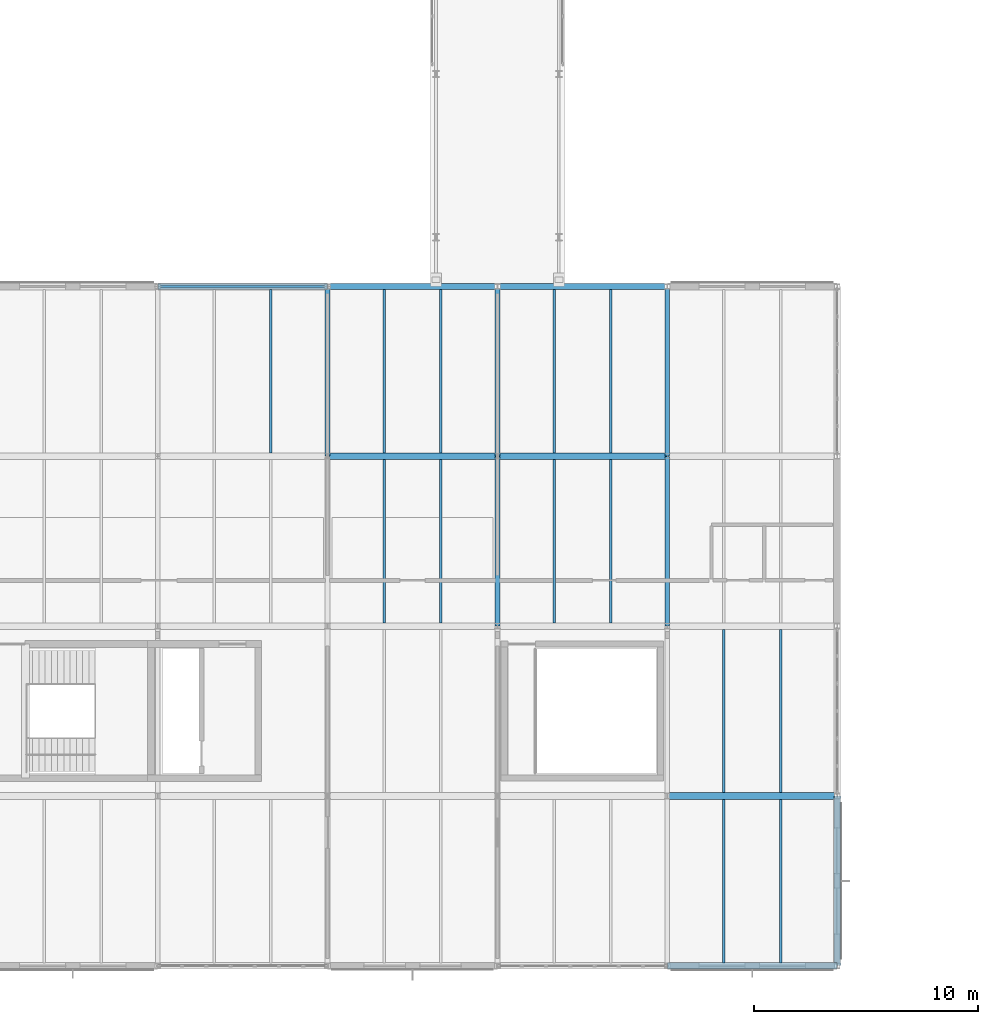
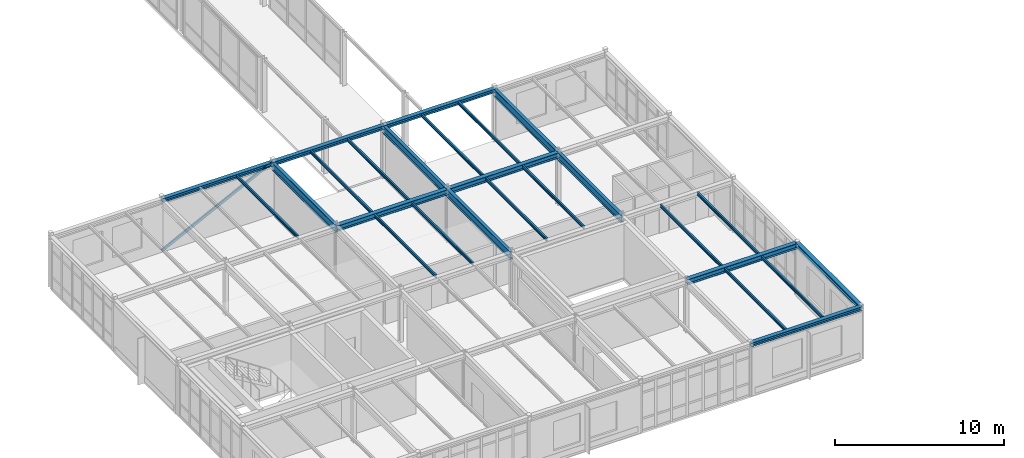
# One storey, part 34 of 189: 26 beams, 1 member.
"""IFC4 building model written with IfcOpenShell, lengths in metres."""

from ifc_helpers import new_model, si_unit, direction, frame, origin, origin_2d, place, context, subcontext, project, spatial, hollow_rectangle, i_section, extrude, material, material_profile, profile_set, type_object, element, save


model = new_model("IFC4")

# Units and contexts
model_context = context("Model", 3, precision=1e-05, world=origin(), true_north=direction((0.0, 1.0)))
body_context = subcontext(model_context, "Body", "Model", "MODEL_VIEW")
ifc_project = project(units=[si_unit("LENGTHUNIT", "METRE"), si_unit("AREAUNIT", "SQUARE_METRE"), si_unit("VOLUMEUNIT", "CUBIC_METRE"), si_unit("PLANEANGLEUNIT", "RADIAN"), si_unit("MASSUNIT", "GRAM", prefix="KILO")], contexts=[model_context])

# Site, building, storey
site_placement = place(None, origin())
site = spatial("IfcSite", under=ifc_project, at=site_placement, CompositionType="ELEMENT")
building_placement = place(site_placement, origin())
building = spatial("IfcBuilding", under=site, at=building_placement, Name="Montecoro Central Library", CompositionType="ELEMENT")
storey_placement = place(building_placement, frame((0.0, 0.0, 9.179931640625)))
storey = spatial("IfcBuildingStorey", under=building, at=storey_placement, Name="L02", CompositionType="ELEMENT", Elevation=9.179931640625)

# Beams
ifc_material_1 = material(Name="Steel S355", Category="steel")
ifc_material_profile_1 = material_profile(ifc_material_1, i_section(OverallWidth=0.300048828125, OverallDepth=0.389892578125, WebThickness=0.010986328125, FlangeThickness=0.01904296875, at=origin_2d()), Name="HEA 400")
ifc_profile_set_1 = profile_set([ifc_material_profile_1], Name="Steel S355")
beam_type_1 = type_object("IfcBeamType", Name="BM-G-HEA400", PredefinedType="USERDEFINED", material=ifc_profile_set_1)
beam_1_placement = place(storey_placement, frame((35.405029296875, 12.60009765625, 3.630126953125), z_axis=(1.0, 0.0, 0.0), x_axis=(0.0, 1.0, 0.0)))
element("IfcBeam", 1, at=beam_1_placement, inside=storey, type_object=beam_type_1, Name="V3-L02-BX-56-B", ObjectType="GIRDER", PredefinedType="USERDEFINED", context=body_context, shape_type="SweptSolid", body=[
    extrude(i_section(OverallWidth=0.300048828125, OverallDepth=0.389892578125, WebThickness=0.010986328125, FlangeThickness=0.01904296875, at=origin_2d()), origin(), (0.0, 0.0, 1.0), 7.590087890625),
])
beam_2_placement = place(storey_placement, frame((20.205078125, 27.800048828125, 3.630126953125), z_axis=(1.0, 0.0, 0.0), x_axis=(0.0, 1.0, 0.0)))
element("IfcBeam", 2, at=beam_2_placement, inside=storey, type_object=beam_type_1, Name="V3-L02-BX-34-D", ObjectType="GIRDER", PredefinedType="USERDEFINED", context=body_context, shape_type="SweptSolid", body=[
    extrude(i_section(OverallWidth=0.300048828125, OverallDepth=0.389892578125, WebThickness=0.010986328125, FlangeThickness=0.01904296875, at=origin_2d()), origin(), (0.0, 0.0, 1.0), 7.58984375),
])
beam_3_placement = place(storey_placement, frame((27.804931640625, 27.800048828125, 3.630126953125), z_axis=(1.0, 0.0, 0.0), x_axis=(0.0, 1.0, 0.0)))
element("IfcBeam", 3, at=beam_3_placement, inside=storey, type_object=beam_type_1, Name="V3-L02-BX-45-D", ObjectType="GIRDER", PredefinedType="USERDEFINED", context=body_context, shape_type="SweptSolid", body=[
    extrude(i_section(OverallWidth=0.300048828125, OverallDepth=0.389892578125, WebThickness=0.010986328125, FlangeThickness=0.01904296875, at=origin_2d()), origin(), (0.0, 0.0, 1.0), 7.590087890625),
])
ifc_material_2 = material(Name="Steel S355J2", Category="steel")
ifc_material_profile_2 = material_profile(ifc_material_2, i_section(OverallWidth=0.2099609375, OverallDepth=0.550048828125, WebThickness=0.010986328125, FlangeThickness=0.01708984375, at=origin_2d()), Name="IPE 550")
ifc_profile_set_2 = profile_set([ifc_material_profile_2], Name="Steel S355J2")
beam_type_2 = type_object("IfcBeamType", Name="BM-G-IPE550", PredefinedType="USERDEFINED", material=ifc_profile_set_2)
beam_4_placement = place(storey_placement, frame((20.199951171875, 27.804931640625, 3.550048828125), z_axis=(0.0, 1.0, 0.0), x_axis=(-1.0, 0.0, 0.0)))
element("IfcBeam", 4, at=beam_4_placement, inside=storey, type_object=beam_type_2, Name="V3-L02-BY-3-DE", ObjectType="GIRDER", PredefinedType="USERDEFINED", context=body_context, shape_type="SweptSolid", body=[
    extrude(i_section(OverallWidth=0.2099609375, OverallDepth=0.550048828125, WebThickness=0.010986328125, FlangeThickness=0.01708984375, at=origin_2d()), origin(), (0.0, 0.0, 1.0), 7.590087890625),
])
beam_5_placement = place(storey_placement, frame((27.800048828125, 20.205078125, 3.550048828125), z_axis=(0.0, 1.0, 0.0), x_axis=(-1.0, 0.0, 0.0)))
element("IfcBeam", 5, at=beam_5_placement, inside=storey, type_object=beam_type_2, Name="V3-L02-BY-4-CD", ObjectType="GIRDER", PredefinedType="USERDEFINED", context=body_context, shape_type="SweptSolid", body=[
    extrude(i_section(OverallWidth=0.2099609375, OverallDepth=0.550048828125, WebThickness=0.010986328125, FlangeThickness=0.01708984375, at=origin_2d()), origin(), (0.0, 0.0, 1.0), 7.58984375),
])
beam_6_placement = place(storey_placement, frame((27.800048828125, 27.804931640625, 3.550048828125), z_axis=(0.0, 1.0, 0.0), x_axis=(-1.0, 0.0, 0.0)))
element("IfcBeam", 6, at=beam_6_placement, inside=storey, type_object=beam_type_2, Name="V3-L02-BY-4-DE", ObjectType="GIRDER", PredefinedType="USERDEFINED", context=body_context, shape_type="SweptSolid", body=[
    extrude(i_section(OverallWidth=0.2099609375, OverallDepth=0.550048828125, WebThickness=0.010986328125, FlangeThickness=0.01708984375, at=origin_2d()), origin(), (0.0, 0.0, 1.0), 7.590087890625),
])
beam_7_placement = place(storey_placement, frame((35.39990234375, 20.205078125, 3.550048828125), z_axis=(0.0, 1.0, 0.0), x_axis=(-1.0, 0.0, 0.0)))
element("IfcBeam", 7, at=beam_7_placement, inside=storey, type_object=beam_type_2, Name="V3-L02-BY-5-CD", ObjectType="GIRDER", PredefinedType="USERDEFINED", context=body_context, shape_type="SweptSolid", body=[
    extrude(i_section(OverallWidth=0.2099609375, OverallDepth=0.550048828125, WebThickness=0.010986328125, FlangeThickness=0.01708984375, at=origin_2d()), origin(), (0.0, 0.0, 1.0), 7.58984375),
])
beam_8_placement = place(storey_placement, frame((35.39990234375, 27.804931640625, 3.550048828125), z_axis=(0.0, 1.0, 0.0), x_axis=(-1.0, 0.0, 0.0)))
element("IfcBeam", 8, at=beam_8_placement, inside=storey, type_object=beam_type_2, Name="V3-L02-BY-5-DE", ObjectType="GIRDER", PredefinedType="USERDEFINED", context=body_context, shape_type="SweptSolid", body=[
    extrude(i_section(OverallWidth=0.2099609375, OverallDepth=0.550048828125, WebThickness=0.010986328125, FlangeThickness=0.01708984375, at=origin_2d()), origin(), (0.0, 0.0, 1.0), 7.590087890625),
])
ifc_material_profile_3 = material_profile(ifc_material_1, i_section(OverallWidth=0.110107421875, OverallDepth=0.219970703125, WebThickness=0.005859375, FlangeThickness=0.00927734375, at=origin_2d()), Name="IPE 220")
ifc_profile_set_3 = profile_set([ifc_material_profile_3], Name="Steel S355")
beam_type_3 = type_object("IfcBeamType", Name="BM-J-IPE220", PredefinedType="JOIST", material=ifc_profile_set_3)
beam_9_placement = place(storey_placement, frame((17.6669921875, 27.947021484375, 3.715087890625), z_axis=(0.0, 1.0, 0.0), x_axis=(-1.0, 0.0, 0.0)))
element("IfcBeam", 9, at=beam_9_placement, inside=storey, type_object=beam_type_3, Name="V3-L02-JS-23-DE-2", PredefinedType="JOIST", context=body_context, shape_type="SweptSolid", body=[
    extrude(i_section(OverallWidth=0.110107421875, OverallDepth=0.219970703125, WebThickness=0.005859375, FlangeThickness=0.00927734375, at=origin_2d()), origin(), (0.0, 0.0, 1.0), 7.31591796875),
])
for number, where, z_axis, x_axis, name in (
    (10, (22.73291015625, 20.346923828125, 3.715087890625), (0.0, 1.0, 0.0), (-1.0, 0.0, 0.0), "V3-L02-JS-34-CD-1"),
    (11, (25.26708984375, 20.346923828125, 3.715087890625), (0.0, 1.0, 0.0), (-1.0, 0.0, 0.0), "V3-L02-JS-34-CD-2"),
):
    element("IfcBeam", number, at=place(storey_placement, frame(where, z_axis=z_axis, x_axis=x_axis)), inside=storey, type_object=beam_type_3, Name=name, PredefinedType="JOIST", context=body_context, shape_type="SweptSolid", body=[
        extrude(i_section(OverallWidth=0.110107421875, OverallDepth=0.219970703125, WebThickness=0.005859375, FlangeThickness=0.00927734375, at=origin_2d()), origin(), (0.0, 0.0, 1.0), 7.30615234375),
    ])
for number, where, z_axis, x_axis, name in (
    (12, (22.73291015625, 27.947021484375, 3.715087890625), (0.0, 1.0, 0.0), (-1.0, 0.0, 0.0), "V3-L02-JS-34-DE-1"),
    (13, (25.26708984375, 27.947021484375, 3.715087890625), (0.0, 1.0, 0.0), (-1.0, 0.0, 0.0), "V3-L02-JS-34-DE-2"),
):
    element("IfcBeam", number, at=place(storey_placement, frame(where, z_axis=z_axis, x_axis=x_axis)), inside=storey, type_object=beam_type_3, Name=name, PredefinedType="JOIST", context=body_context, shape_type="SweptSolid", body=[
        extrude(i_section(OverallWidth=0.110107421875, OverallDepth=0.219970703125, WebThickness=0.005859375, FlangeThickness=0.00927734375, at=origin_2d()), origin(), (0.0, 0.0, 1.0), 7.31591796875),
    ])
for number, where, z_axis, x_axis, name in (
    (14, (30.3330078125, 20.346923828125, 3.715087890625), (0.0, 1.0, 0.0), (-1.0, 0.0, 0.0), "V3-L02-JS-45-CD-1"),
    (15, (32.866943359375, 20.346923828125, 3.715087890625), (0.0, 1.0, 0.0), (-1.0, 0.0, 0.0), "V3-L02-JS-45-CD-2"),
):
    element("IfcBeam", number, at=place(storey_placement, frame(where, z_axis=z_axis, x_axis=x_axis)), inside=storey, type_object=beam_type_3, Name=name, PredefinedType="JOIST", context=body_context, shape_type="SweptSolid", body=[
        extrude(i_section(OverallWidth=0.110107421875, OverallDepth=0.219970703125, WebThickness=0.005859375, FlangeThickness=0.00927734375, at=origin_2d()), origin(), (0.0, 0.0, 1.0), 7.30615234375),
    ])
for number, where, z_axis, x_axis, name in (
    (16, (30.3330078125, 27.947021484375, 3.715087890625), (0.0, 1.0, 0.0), (-1.0, 0.0, 0.0), "V3-L02-JS-45-DE-1"),
    (17, (32.866943359375, 27.947021484375, 3.715087890625), (0.0, 1.0, 0.0), (-1.0, 0.0, 0.0), "V3-L02-JS-45-DE-2"),
    (18, (37.93310546875, 5.136962890625, 3.715087890625), (0.0, 1.0, 0.0), (-1.0, 0.0, 0.0), "V3-L02-JS-56-AB-1"),
    (19, (40.467041015625, 5.136962890625, 3.715087890625), (0.0, 1.0, 0.0), (-1.0, 0.0, 0.0), "V3-L02-JS-56-AB-2"),
):
    element("IfcBeam", number, at=place(storey_placement, frame(where, z_axis=z_axis, x_axis=x_axis)), inside=storey, type_object=beam_type_3, Name=name, PredefinedType="JOIST", context=body_context, shape_type="SweptSolid", body=[
        extrude(i_section(OverallWidth=0.110107421875, OverallDepth=0.219970703125, WebThickness=0.005859375, FlangeThickness=0.00927734375, at=origin_2d()), origin(), (0.0, 0.0, 1.0), 7.31591796875),
    ])
for number, where, z_axis, x_axis, name in (
    (20, (37.93310546875, 12.7470703125, 3.715087890625), (0.0, 1.0, 0.0), (-1.0, 0.0, 0.0), "V3-L02-JS-56-BC-1"),
    (21, (40.467041015625, 12.7470703125, 3.715087890625), (0.0, 1.0, 0.0), (-1.0, 0.0, 0.0), "V3-L02-JS-56-BC-2"),
):
    element("IfcBeam", number, at=place(storey_placement, frame(where, z_axis=z_axis, x_axis=x_axis)), inside=storey, type_object=beam_type_3, Name=name, PredefinedType="JOIST", context=body_context, shape_type="SweptSolid", body=[
        extrude(i_section(OverallWidth=0.110107421875, OverallDepth=0.219970703125, WebThickness=0.005859375, FlangeThickness=0.00927734375, at=origin_2d()), origin(), (0.0, 0.0, 1.0), 7.305908203125),
    ])
ifc_material_profile_4 = material_profile(ifc_material_1, i_section(OverallWidth=0.280029296875, OverallDepth=0.27001953125, WebThickness=0.008056640625, FlangeThickness=0.012939453125, at=origin_2d()), Name="HEA 280")
ifc_profile_set_4 = profile_set([ifc_material_profile_4], Name="Steel S355")
beam_type_4 = type_object("IfcBeamType", Name="BM-SP-HEA280", PredefinedType="SPANDREL", material=ifc_profile_set_4)
for number, where, z_axis, x_axis, name in (
    (22, (35.405029296875, 5.0, 3.690185546875), (1.0, 0.0, 0.0), (0.0, 1.0, 0.0), "V3-L02-BX-56-A"),
    (23, (12.60498046875, 35.39990234375, 3.690185546875), (1.0, 0.0, 0.0), (0.0, 1.0, 0.0), "V3-L02-BX-23-E"),
):
    element("IfcBeam", number, at=place(storey_placement, frame(where, z_axis=z_axis, x_axis=x_axis)), inside=storey, type_object=beam_type_4, Name=name, PredefinedType="SPANDREL", context=body_context, shape_type="SweptSolid", body=[
        extrude(i_section(OverallWidth=0.280029296875, OverallDepth=0.27001953125, WebThickness=0.008056640625, FlangeThickness=0.012939453125, at=origin_2d()), origin(), (0.0, 0.0, 1.0), 7.590087890625),
    ])
beam_10_placement = place(storey_placement, frame((20.205078125, 35.39990234375, 3.690185546875), z_axis=(1.0, 0.0, 0.0), x_axis=(0.0, 1.0, 0.0)))
element("IfcBeam", 24, at=beam_10_placement, inside=storey, type_object=beam_type_4, Name="V3-L02-BX-34-E", PredefinedType="SPANDREL", context=body_context, shape_type="SweptSolid", body=[
    extrude(i_section(OverallWidth=0.280029296875, OverallDepth=0.27001953125, WebThickness=0.008056640625, FlangeThickness=0.012939453125, at=origin_2d()), origin(), (0.0, 0.0, 1.0), 7.58984375),
])
for number, where, z_axis, x_axis, name in (
    (25, (27.804931640625, 35.39990234375, 3.690185546875), (1.0, 0.0, 0.0), (0.0, 1.0, 0.0), "V3-L02-BX-45-E"),
    (26, (43.0, 5.0048828125, 3.690185546875), (0.0, 1.0, 0.0), (-1.0, 0.0, 0.0), "V3-L02-BY-6-AB"),
):
    element("IfcBeam", number, at=place(storey_placement, frame(where, z_axis=z_axis, x_axis=x_axis)), inside=storey, type_object=beam_type_4, Name=name, PredefinedType="SPANDREL", context=body_context, shape_type="SweptSolid", body=[
        extrude(i_section(OverallWidth=0.280029296875, OverallDepth=0.27001953125, WebThickness=0.008056640625, FlangeThickness=0.012939453125, at=origin_2d()), origin(), (0.0, 0.0, 1.0), 7.590087890625),
    ])

# Member
ifc_material_profile_5 = material_profile(ifc_material_1, hollow_rectangle(XDim=0.10009765625, YDim=0.199951171875, WallThickness=0.008056640625, at=origin_2d()), Name="RHS 200x100x8.0")
ifc_profile_set_5 = profile_set([ifc_material_profile_5], Name="Steel S355")
member_type = type_object("IfcMemberType", Name="MB-BR-RHS200", PredefinedType="BRACE", material=ifc_profile_set_5)
member_placement = place(storey_placement, frame((12.60009765625, 35.39990234375, 0.010009765625), z_axis=(0.89465125158, 0.0, 0.446765193415), x_axis=(0.0, 1.0, 0.0)))
element("IfcMember", 27, at=member_placement, inside=storey, type_object=member_type, Name="V3-L02-BRN1", PredefinedType="BRACE", context=body_context, shape_type="SweptSolid", body=[
    extrude(hollow_rectangle(XDim=0.10009765625, YDim=0.199951171875, WallThickness=0.008056640625, at=origin_2d()), origin(), (0.0, 0.0, 1.0), 8.494873046875),
])

save(model, "model.ifc")
